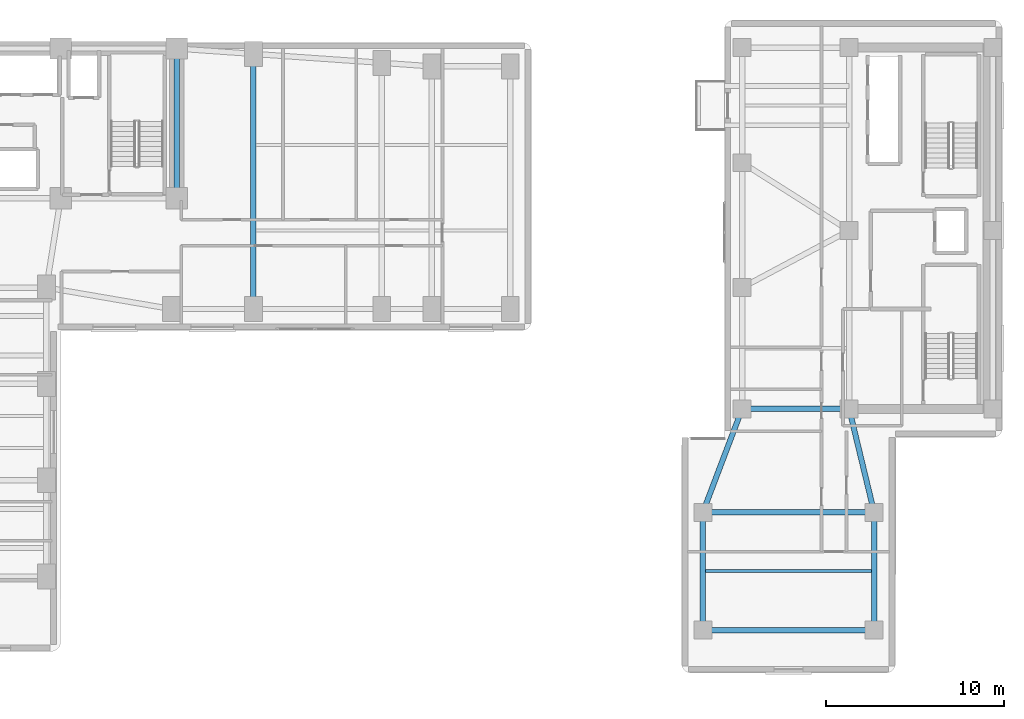
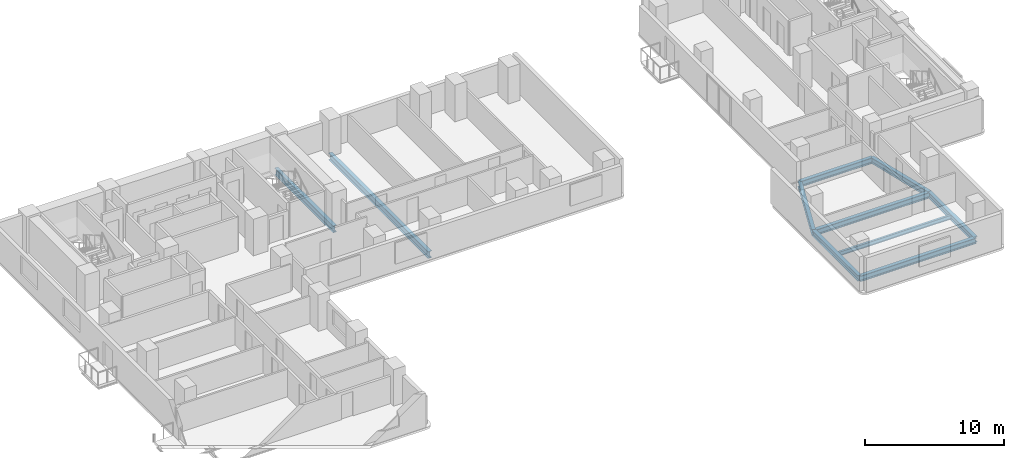
# One storey, part 5 of 17: 10 beams.
"""IFC4 building model written with IfcOpenShell, lengths in metres."""

import ifcopenshell
import ifcopenshell.guid

model = None  # the IFC model being written
_history = None  # IfcOwnerHistory: only IFC2X3 demands one
_inside = {}  # id of a spatial element -> (the spatial element, [elements in it])
_under = {}  # id of a project, library or spatial element -> (it, [spatial elements below it])
_declared = {}  # id of a project -> (the project, [libraries it declares])
_typed = {}  # id of a type object -> (the type object, [elements of that type])
_made_of = {}  # id of a material, layer set ... -> (it, [elements and type objects made of it])


def new_model(schema):
    """Start an empty IFC model of exactly this schema.

    Asked for "IFC4X3", IfcOpenShell would pick the latest addendum, in which some entities
    have other attributes; the version numbers below select the first issue.
    IFC2X3 requires an IfcOwnerHistory on every rooted entity: one is made here for all.
    """
    global model, _history
    if schema == "IFC4X3":
        model = ifcopenshell.file(schema_version=(4, 3, 0, 0))
    else:
        model = ifcopenshell.file(schema=schema)
    _inside.clear()
    _under.clear()
    _declared.clear()
    _typed.clear()
    _made_of.clear()
    _history = None
    if model.schema == "IFC2X3":
        org = make("IfcOrganization", Name="unknown")
        user = make(
            "IfcPersonAndOrganization",
            ThePerson=make("IfcPerson", FamilyName="unknown"),
            TheOrganization=org,
        )
        app = make(
            "IfcApplication",
            ApplicationDeveloper=org,
            Version="unknown",
            ApplicationFullName="unknown",
            ApplicationIdentifier="unknown",
        )
        _history = make(
            "IfcOwnerHistory",
            OwningUser=user,
            OwningApplication=app,
            ChangeAction="ADDED",
            CreationDate=0,
        )
    return model


def make(cls, **values):
    """One entity of the class cls with the attributes given. An attribute that is None is left unset."""
    return model.create_entity(
        cls, **{name: value for name, value in values.items() if value is not None}
    )


def rooted(cls, **values):
    """An entity with a GlobalId (a new one), such as an element, a storey or a relation."""
    return make(cls, GlobalId=ifcopenshell.guid.new(), OwnerHistory=_history, **values)


def si_unit(unit_type, name, prefix=None):
    """IfcSIUnit, for example si_unit("LENGTHUNIT", "METRE", prefix="MILLI")."""
    return make("IfcSIUnit", UnitType=unit_type, Prefix=prefix, Name=name)


def assignment(units):
    """IfcUnitAssignment: the units of a project."""
    return None if units is None else make("IfcUnitAssignment", Units=units)


def point(xyz):
    """IfcCartesianPoint."""
    return None if xyz is None else make("IfcCartesianPoint", Coordinates=xyz)


def direction(xyz):
    """IfcDirection."""
    return None if xyz is None else make("IfcDirection", DirectionRatios=xyz)


def frame(location, z_axis=None, x_axis=None):
    """IfcAxis2Placement3D, a coordinate frame: its origin and axes. An axis left out is left unset."""
    return make(
        "IfcAxis2Placement3D",
        Location=point(location),
        Axis=direction(z_axis),
        RefDirection=direction(x_axis),
    )


def frame_2d(location, x_axis=None):
    """IfcAxis2Placement2D, a coordinate frame in the plane: its origin and x axis."""
    return make(
        "IfcAxis2Placement2D", Location=point(location), RefDirection=direction(x_axis)
    )


def origin():
    """The frame at (0, 0, 0) with its axes left unset."""
    return frame((0.0, 0.0, 0.0))


def origin_2d():
    """The frame at (0, 0) in the plane with its x axis left unset."""
    return frame_2d((0.0, 0.0))


def place(relative_to, where):
    """IfcLocalPlacement: puts the frame where relative to a parent placement (None: the world)."""
    return make(
        "IfcLocalPlacement", PlacementRelTo=relative_to, RelativePlacement=where
    )


def context(
    kind, dimensions, precision=None, world=None, true_north=None, identifier=None
):
    """IfcGeometricRepresentationContext, for example the 3D "Model" context."""
    return make(
        "IfcGeometricRepresentationContext",
        ContextIdentifier=identifier,
        ContextType=kind,
        CoordinateSpaceDimension=dimensions,
        Precision=precision,
        WorldCoordinateSystem=world,
        TrueNorth=true_north,
    )


def subcontext(parent, identifier, kind, view, scale=None):
    """IfcGeometricRepresentationSubContext, for example "Body" below "Model"."""
    return make(
        "IfcGeometricRepresentationSubContext",
        ContextIdentifier=identifier,
        ContextType=kind,
        ParentContext=parent,
        TargetScale=scale,
        TargetView=view,
    )


def project(units=None, contexts=None):
    """IfcProject with its units and contexts."""
    return rooted(
        "IfcProject",
        Name="project",
        RepresentationContexts=contexts,
        UnitsInContext=assignment(units),
    )


def spatial(cls, under=None, at=None, **own):
    """A site, building, storey or space (cls), placed at a placement, below another one or the project."""
    s = rooted(cls, ObjectPlacement=at, **own)
    if under is not None:
        _under.setdefault(under.id(), (under, []))[1].append(s)
    return s


def profile(cls, at=None, kind="AREA", **sizes):
    """A parametric profile (cls). Its sizes go by their IFC names, for example OverallWidth=200.0."""
    return make(cls, ProfileType=kind, Position=at, **sizes)


def i_section(**sizes):
    """IfcIShapeProfileDef."""
    return profile("IfcIShapeProfileDef", **sizes)


def extrude(swept, where, along, depth):
    """IfcExtrudedAreaSolid: the profile swept, set in the frame where, extruded along a direction by depth."""
    return make(
        "IfcExtrudedAreaSolid",
        SweptArea=swept,
        Position=where,
        ExtrudedDirection=direction(along),
        Depth=depth,
    )


def shape(context_of_items, identifier, shape_type, items):
    """IfcShapeRepresentation: the items that make up one representation, for example the "Body"."""
    return make(
        "IfcShapeRepresentation",
        ContextOfItems=context_of_items,
        RepresentationIdentifier=identifier,
        RepresentationType=shape_type,
        Items=items,
    )


def material(Name=None, Category=None):
    """IfcMaterial."""
    return make("IfcMaterial", Name=Name, Category=Category)


def material_profile(
    of_material, cross_section, Name=None, Category=None, Priority=None
):
    """IfcMaterialProfile: a cross section and its material."""
    return make(
        "IfcMaterialProfile",
        Name=Name,
        Material=of_material,
        Profile=cross_section,
        Priority=Priority,
        Category=Category,
    )


def profile_set(profiles, Name=None, composite=None):
    """IfcMaterialProfileSet."""
    return make(
        "IfcMaterialProfileSet",
        Name=Name,
        MaterialProfiles=profiles,
        CompositeProfile=composite,
    )


def made_of(thing, what):
    """Note that an element or type object is made of a material, layer set ...; save() writes the relation."""
    if what is not None:
        _made_of.setdefault(what.id(), (what, []))[1].append(thing)
    return thing


def type_object(cls, material=None, **own):
    """A type object (cls), such as IfcWallType, which elements share."""
    return made_of(rooted(cls, **own), material)


def element(
    cls,
    number,
    at=None,
    inside=None,
    cuts=None,
    type_object=None,
    material=None,
    context=None,
    identifier="Body",
    shape_type=None,
    held_by="IfcProductDefinitionShape",
    body=None,
    shapes=None,
    **own,
):
    """One element of the class cls, such as IfcWall. Its Tag is "e" and its number.

    at: its placement. inside: the storey or other place that contains it. cuts: it is an
    opening in that element (IfcRelVoidsElement). A single representation is given by context,
    identifier, shape_type and body (its items); several are given by shapes. held_by: the class
    of the entity that holds the representations. save() writes the other relations.
    """
    e = rooted(cls, Tag="e%d" % number, ObjectPlacement=at, **own)
    if body is not None:
        shapes = [shape(context, identifier, shape_type, body)]
    if shapes is not None:
        e.Representation = make(held_by, Representations=shapes)
    if inside is not None:
        _inside.setdefault(inside.id(), (inside, []))[1].append(e)
    if cuts is not None:
        rooted(
            "IfcRelVoidsElement", RelatingBuildingElement=cuts, RelatedOpeningElement=e
        )
    if type_object is not None:
        _typed.setdefault(type_object.id(), (type_object, []))[1].append(e)
    return made_of(e, material)


def aggregate(whole, parts):
    """IfcRelAggregates: a whole, such as a stair, and the parts it consists of."""
    return rooted("IfcRelAggregates", RelatingObject=whole, RelatedObjects=parts)


def save(model, path):
    """Write the relations noted so far, then the file.

    IfcRelAggregates (storeys below a building ...), IfcRelContainedInSpatialStructure (elements
    in a storey), IfcRelDefinesByType, IfcRelAssociatesMaterial and IfcRelDeclares: one each for
    every whole, place, type object, material and project.
    """
    for whole, parts in _under.values():
        aggregate(whole, parts)
    for where, things in _inside.values():
        rooted(
            "IfcRelContainedInSpatialStructure",
            RelatedElements=things,
            RelatingStructure=where,
        )
    for kind, things in _typed.values():
        rooted("IfcRelDefinesByType", RelatedObjects=things, RelatingType=kind)
    for what, things in _made_of.values():
        rooted("IfcRelAssociatesMaterial", RelatedObjects=things, RelatingMaterial=what)
    for by, libraries in _declared.values():
        rooted("IfcRelDeclares", RelatingContext=by, RelatedDefinitions=libraries)
    model.write(path)


model = new_model("IFC4")

# Units and contexts
model_context = context("Model", 3, precision=1e-05, world=origin(), true_north=direction((0.0, 1.0)))
body_context = subcontext(model_context, "Body", "Model", "MODEL_VIEW")
ifc_project = project(units=[si_unit("LENGTHUNIT", "METRE"), si_unit("AREAUNIT", "SQUARE_METRE"), si_unit("VOLUMEUNIT", "CUBIC_METRE"), si_unit("PLANEANGLEUNIT", "RADIAN"), si_unit("MASSUNIT", "GRAM", prefix="KILO")], contexts=[model_context])

# Site, building, storey
site_placement = place(None, origin())
site = spatial("IfcSite", under=ifc_project, at=site_placement, CompositionType="ELEMENT")
building_placement = place(site_placement, origin())
building = spatial("IfcBuilding", under=site, at=building_placement, Name="Kuzgunbayir Cultural Tower", CompositionType="ELEMENT")
storey_placement = place(building_placement, frame((0.0, 0.0, 43.60009765625)))
storey = spatial("IfcBuildingStorey", under=building, at=storey_placement, Name="L11", CompositionType="ELEMENT", Elevation=43.60009765625)

# Beams
ifc_material = material(Name="Steel S355J2", Category="steel")
ifc_material_profile_1 = material_profile(ifc_material, i_section(OverallWidth=0.300048828125, OverallDepth=0.5, WebThickness=0.014404296875, FlangeThickness=0.028076171875, FilletRadius=0.027099609375, at=origin_2d()), Name="HEB 500")
ifc_profile_set_1 = profile_set([ifc_material_profile_1], Name="Steel S355J2")
beam_type_1 = type_object("IfcBeamType", Name="BM-EXT-HEB500", PredefinedType="BEAM", material=ifc_profile_set_1)
beam_1_placement = place(storey_placement, frame((56.39990234375, 9.60009765625, -0.43017578125), z_axis=(0.0, 1.0, 0.0), x_axis=(-1.0, 0.0, 0.0)))
element("IfcBeam", 1, at=beam_1_placement, inside=storey, type_object=beam_type_1, Name="L11 Companion Wing B West Girder", PredefinedType="BEAM", context=body_context, shape_type="SweptSolid", body=[
    extrude(i_section(OverallWidth=0.300048828125, OverallDepth=0.5, WebThickness=0.014404296875, FlangeThickness=0.028076171875, FilletRadius=0.027099609375, at=origin_2d()), origin(), (0.0, 0.0, 1.0), 6.599853515625),
])
beam_2_placement = place(storey_placement, frame((56.39990234375, 16.199951171875, -0.43017578125), z_axis=(0.354679148754, 0.93498807556, 0.0), x_axis=(-0.93498807556, 0.354679148754, 0.0)))
element("IfcBeam", 2, at=beam_2_placement, inside=storey, type_object=beam_type_1, Name="L11 Companion Wing B Floor Girder W", PredefinedType="BEAM", context=body_context, shape_type="SweptSolid", body=[
    extrude(i_section(OverallWidth=0.300048828125, OverallDepth=0.5, WebThickness=0.014404296875, FlangeThickness=0.028076171875, FilletRadius=0.027099609375, at=origin_2d()), origin(), (0.0, 0.0, 1.0), 6.203369140625),
])
beam_3_placement = place(storey_placement, frame((66.0, 9.60009765625, -0.43017578125), z_axis=(0.0, 1.0, 0.0), x_axis=(-1.0, 0.0, 0.0)))
element("IfcBeam", 3, at=beam_3_placement, inside=storey, type_object=beam_type_1, Name="L11 Companion Wing B East Girder", PredefinedType="BEAM", context=body_context, shape_type="SweptSolid", body=[
    extrude(i_section(OverallWidth=0.300048828125, OverallDepth=0.5, WebThickness=0.014404296875, FlangeThickness=0.028076171875, FilletRadius=0.027099609375, at=origin_2d()), origin(), (0.0, 0.0, 1.0), 6.599853515625),
])
beam_4_placement = place(storey_placement, frame((66.0, 16.199951171875, -0.43017578125), z_axis=(-0.234623200431, 0.972086392158, 0.0), x_axis=(-0.972086392158, -0.234623200431, 0.0)))
element("IfcBeam", 4, at=beam_4_placement, inside=storey, type_object=beam_type_1, Name="L11 Companion Wing B Floor Girder E", PredefinedType="BEAM", context=body_context, shape_type="SweptSolid", body=[
    extrude(i_section(OverallWidth=0.300048828125, OverallDepth=0.5, WebThickness=0.014404296875, FlangeThickness=0.028076171875, FilletRadius=0.027099609375, at=origin_2d()), origin(), (0.0, 0.0, 1.0), 5.966552734375),
])
beam_5_placement = place(storey_placement, frame((56.39990234375, 9.60009765625, -0.43017578125), z_axis=(1.0, 0.0, 0.0), x_axis=(0.0, 1.0, 0.0)))
element("IfcBeam", 5, at=beam_5_placement, inside=storey, type_object=beam_type_1, Name="L11 Companion Wing B South Girder", PredefinedType="BEAM", context=body_context, shape_type="SweptSolid", body=[
    extrude(i_section(OverallWidth=0.300048828125, OverallDepth=0.5, WebThickness=0.014404296875, FlangeThickness=0.028076171875, FilletRadius=0.027099609375, at=origin_2d()), origin(), (0.0, 0.0, 1.0), 9.60009765625),
])
ifc_material_profile_2 = material_profile(ifc_material, i_section(OverallWidth=0.300048828125, OverallDepth=0.5, WebThickness=0.014404296875, FlangeThickness=0.028076171875, FilletRadius=0.027099609375, at=origin_2d()), Name="HEB 500")
ifc_profile_set_2 = profile_set([ifc_material_profile_2], Name="Steel S355J2")
beam_type_2 = type_object("IfcBeamType", Name="BM-GIR-HEB500", PredefinedType="BEAM", material=ifc_profile_set_2)
beam_6_placement = place(storey_placement, frame((58.60009765625, 22.0, -0.43017578125), z_axis=(1.0, 0.0, 0.0), x_axis=(0.0, 1.0, 0.0)))
element("IfcBeam", 6, at=beam_6_placement, inside=storey, type_object=beam_type_2, Name="L11 Companion Transverse Girder 1", PredefinedType="BEAM", context=body_context, shape_type="SweptSolid", body=[
    extrude(i_section(OverallWidth=0.300048828125, OverallDepth=0.5, WebThickness=0.014404296875, FlangeThickness=0.028076171875, FilletRadius=0.027099609375, at=origin_2d()), origin(), (0.0, 0.0, 1.0), 6.0),
])
beam_7_placement = place(storey_placement, frame((56.39990234375, 16.199951171875, -0.43017578125), z_axis=(1.0, 0.0, 0.0), x_axis=(0.0, 1.0, 0.0)))
element("IfcBeam", 7, at=beam_7_placement, inside=storey, type_object=beam_type_2, Name="L11 Companion Wing B Mid Girder", PredefinedType="BEAM", context=body_context, shape_type="SweptSolid", body=[
    extrude(i_section(OverallWidth=0.300048828125, OverallDepth=0.5, WebThickness=0.014404296875, FlangeThickness=0.028076171875, FilletRadius=0.027099609375, at=origin_2d()), origin(), (0.0, 0.0, 1.0), 9.60009765625),
])
ifc_material_profile_3 = material_profile(ifc_material, i_section(OverallWidth=0.300048828125, OverallDepth=0.60009765625, WebThickness=0.015380859375, FlangeThickness=0.030029296875, FilletRadius=0.027099609375, at=origin_2d()), Name="HEB 600")
ifc_profile_set_3 = profile_set([ifc_material_profile_3], Name="Steel S355J2")
beam_type_3 = type_object("IfcBeamType", Name="BM-GIR-HEB600", PredefinedType="BEAM", material=ifc_profile_set_3)
beam_8_placement = place(storey_placement, frame((26.89990234375, 33.800048828125, -0.47998046875), z_axis=(0.0, 1.0, 0.0), x_axis=(-1.0, 0.0, 0.0)))
element("IfcBeam", 8, at=beam_8_placement, inside=storey, type_object=beam_type_3, Name="L11 Core East Edge Girder", PredefinedType="BEAM", context=body_context, shape_type="SweptSolid", body=[
    extrude(i_section(OverallWidth=0.300048828125, OverallDepth=0.60009765625, WebThickness=0.015380859375, FlangeThickness=0.030029296875, FilletRadius=0.027099609375, at=origin_2d()), origin(), (0.0, 0.0, 1.0), 8.39990234375),
])
beam_9_placement = place(storey_placement, frame((31.199951171875, 27.60009765625, -0.47998046875), z_axis=(0.0, 1.0, 0.0), x_axis=(-1.0, 0.0, 0.0)))
element("IfcBeam", 9, at=beam_9_placement, inside=storey, type_object=beam_type_3, Name="L11 Wing B Cross Girder 31", PredefinedType="BEAM", context=body_context, shape_type="SweptSolid", body=[
    extrude(i_section(OverallWidth=0.300048828125, OverallDepth=0.60009765625, WebThickness=0.015380859375, FlangeThickness=0.030029296875, FilletRadius=0.027099609375, at=origin_2d()), origin(), (0.0, 0.0, 1.0), 14.2998046875),
])
ifc_material_profile_4 = material_profile(ifc_material, i_section(OverallWidth=0.169921875, OverallDepth=0.360107421875, WebThickness=0.008056640625, FlangeThickness=0.0126953125, FilletRadius=0.01806640625, at=origin_2d()), Name="IPE 360")
ifc_profile_set_4 = profile_set([ifc_material_profile_4], Name="Steel S355J2")
beam_type_4 = type_object("IfcBeamType", Name="BM-JST-IPE360", PredefinedType="JOIST", material=ifc_profile_set_4)
beam_10_placement = place(storey_placement, frame((56.550048828125, 12.89990234375, -0.360107421875), z_axis=(1.0, 0.0, 0.0), x_axis=(0.0, 1.0, 0.0)))
element("IfcBeam", 10, at=beam_10_placement, inside=storey, type_object=beam_type_4, Name="L11 Companion Wing B Joist", PredefinedType="JOIST", context=body_context, shape_type="SweptSolid", body=[
    extrude(i_section(OverallWidth=0.169921875, OverallDepth=0.360107421875, WebThickness=0.008056640625, FlangeThickness=0.0126953125, FilletRadius=0.01806640625, at=origin_2d()), origin(), (0.0, 0.0, 1.0), 9.300048828125),
])

save(model, "model.ifc")
